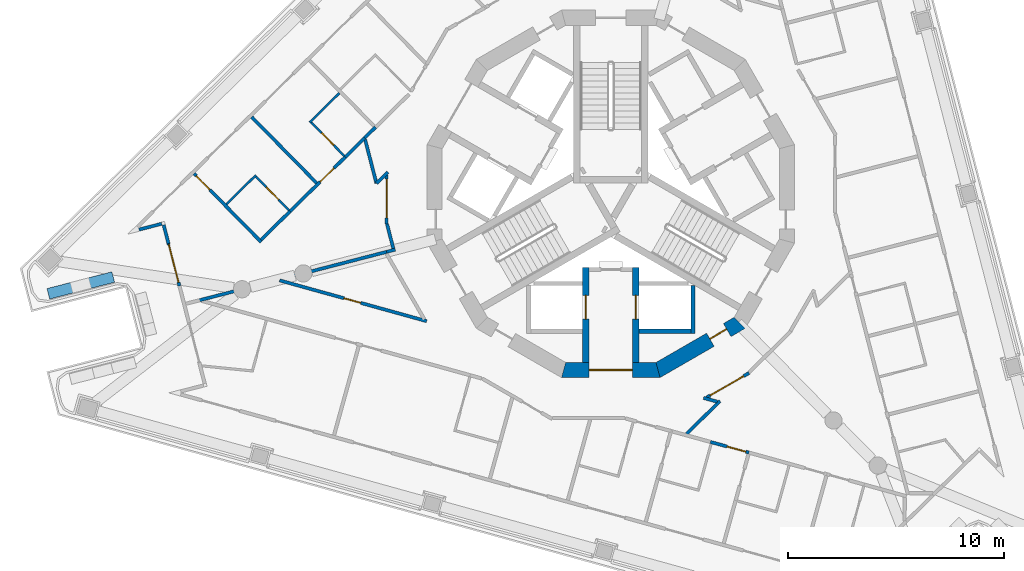
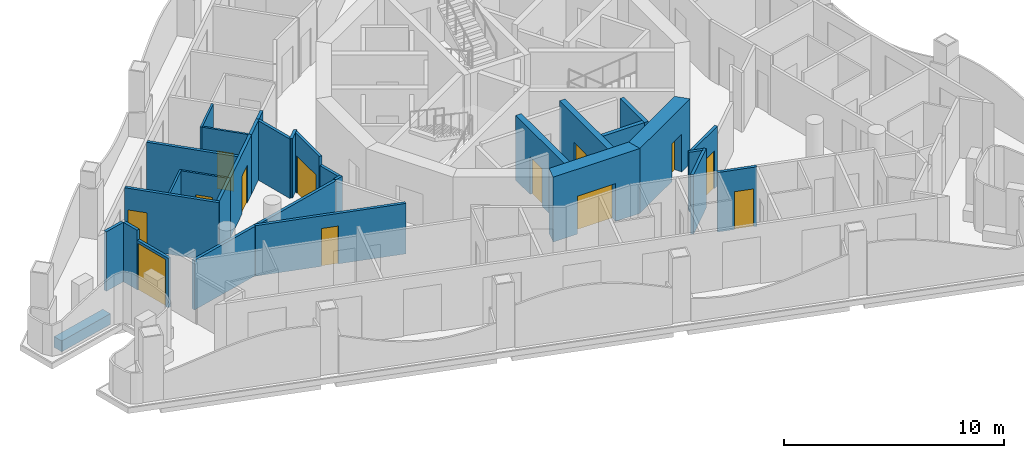
# One storey, part 3 of 14: 31 walls, 13 doors, 13 openings.
"""IFC4 building model written with IfcOpenShell, lengths in metres."""

from ifc_helpers import new_model, si_unit, direction, frame, frame_2d, origin, place, context, subcontext, project, spatial, polyline, rectangle, outline, extrude, material, layer, layer_set, type_object, element, fill, save


model = new_model("IFC4")

# Units and contexts
model_context = context("Model", 3, precision=1e-05, world=origin(), true_north=direction((0.0, 1.0)))
body_context = subcontext(model_context, "Body", "Model", "MODEL_VIEW")
ifc_project = project(units=[si_unit("LENGTHUNIT", "METRE"), si_unit("AREAUNIT", "SQUARE_METRE"), si_unit("VOLUMEUNIT", "CUBIC_METRE"), si_unit("PLANEANGLEUNIT", "RADIAN"), si_unit("MASSUNIT", "GRAM", prefix="KILO")], contexts=[model_context])

# Site, building, storey
site_placement = place(None, origin())
site = spatial("IfcSite", under=ifc_project, at=site_placement, CompositionType="ELEMENT")
building_placement = place(site_placement, origin())
building = spatial("IfcBuilding", under=site, at=building_placement, Name="Trine Commons Tower", CompositionType="ELEMENT")
storey_placement = place(building_placement, frame((0.0, 0.0, 238.5)))
storey = spatial("IfcBuildingStorey", under=building, at=storey_placement, Name="L62", CompositionType="ELEMENT", Elevation=238.5)

# Wall, opening, door
ifc_material_1 = material(Name="Aluminium-framed insulated wall panel", Category="aluminium")
ifc_layer_1 = layer(ifc_material_1, 0.14990234375)
ifc_layer_set_1 = layer_set([ifc_layer_1], Name="Aluminium-framed insulated wall panel")
wall_type_1 = type_object("IfcWallType", Name="Glazed frame wall 150, EI 60", PredefinedType="SOLIDWALL", material=ifc_layer_set_1)
wall_1_placement = place(storey_placement, frame((60.0390625, 58.2451171875, 0.0), z_axis=(0.0, 0.0, 1.0), x_axis=(-0.250341838346, 0.968157509899, 0.0)))
wall_1 = element("IfcWall", 1, at=wall_1_placement, inside=storey, type_object=wall_type_1, Name="Glazed frame wall P3.4", PredefinedType="SOLIDWALL", context=body_context, shape_type="SweptSolid", body=[
    extrude(outline(polyline([(0.0, -0.074951171875), (2.021484375, -0.074951171875), (2.021484375, 0.074951171875), (0.0, 0.074951171875), (0.0, -0.074951171875)])), origin(), (0.0, 0.0, 1.0), 2.75),
])
opening_1_placement = place(wall_1_placement, frame((0.17138671875, 0.0, 0.0)))
opening_1 = element("IfcOpeningElement", 2, at=opening_1_placement, cuts=wall_1, Name="Opening BD-7P3-02", PredefinedType="OPENING", context=body_context, shape_type="SweptSolid", body=[
    extrude(rectangle(XDim=1.800048828125, YDim=2.60009765625, at=frame_2d((0.89990234375, 1.300048828125))), frame((0.0, 0.0849609375, 0.0), z_axis=(0.0, -1.0, 0.0), x_axis=(1.0, 0.0, 0.0)), (0.0, 0.0, 1.0), 0.169921875),
])
ifc_material_2 = material(Name="Anodised aluminium frame with double glazing", Category="aluminium")
door_type_1 = type_object("IfcDoorType", Name="Sliding loggia door 1800x2600", OperationType="SLIDING_TO_LEFT", PredefinedType="DOOR", material=ifc_material_2)
door_1_placement = place(opening_1_placement, origin())
door_1 = element("IfcDoor", 3, at=door_1_placement, inside=storey, type_object=door_type_1, Name="Loggia door P3 2", OperationType="SLIDING_TO_LEFT", OverallHeight=2.60009765625, OverallWidth=1.800048828125, PredefinedType="DOOR", context=body_context, shape_type="SweptSolid", body=[
    extrude(rectangle(XDim=1.800048828125, YDim=2.60009765625, at=frame_2d((0.89990234375, 1.300048828125))), frame((0.0, 0.02490234375, 0.0), z_axis=(0.0, -1.0, 0.0), x_axis=(1.0, 0.0, 0.0)), (0.0, 0.0, 1.0), 0.050048828125),
])
fill(opening_1, door_1)

# Walls
wall_2_placement = place(storey_placement, frame((59.532958984375, 60.202392578125, 0.0), z_axis=(0.0, 0.0, 1.0), x_axis=(-0.250284169086, 0.968172419926, 0.0)))
element("IfcWall", 4, at=wall_2_placement, inside=storey, type_object=wall_type_1, Name="Glazed frame wall P3.5", PredefinedType="SOLIDWALL", context=body_context, shape_type="SweptSolid", body=[
    extrude(outline(polyline([(0.889892578125, 0.074951171875), (0.0, 0.074951171875), (0.0, -0.074951171875), (0.889892578125, -0.074951171875), (0.889892578125, 0.074951171875)])), origin(), (0.0, 0.0, 1.0), 3.300048828125),
])
wall_3_placement = place(storey_placement, frame((59.3251953125, 61.145263671875, 0.0), z_axis=(0.0, 0.0, 1.0), x_axis=(-0.968156774456, -0.250344682538, 0.0)))
element("IfcWall", 5, at=wall_3_placement, inside=storey, type_object=wall_type_1, Name="Glazed frame wall R12", PredefinedType="SOLIDWALL", context=body_context, shape_type="SweptSolid", body=[
    extrude(outline(polyline([(0.110107421875, 0.074951171875), (0.110107421875, -0.074951171875), (1.19580078125, -0.074951171875), (1.19580078125, 0.074951171875), (0.110107421875, 0.074951171875)])), origin(), (0.0, 0.0, 1.0), 3.300048828125),
])
ifc_material_3 = material(Name="Planter trough, precast concrete C40/50", Category="concrete")
ifc_layer_2 = layer(ifc_material_3, 0.5)
ifc_layer_set_2 = layer_set([ifc_layer_2], Name="Planter trough, precast concrete C40/50")
wall_type_2 = type_object("IfcWallType", Name="Planter trough 500x600", PredefinedType="PARAPET", material=ifc_layer_set_2)
wall_4_placement = place(storey_placement, frame((56.974609375, 58.65234375, 0.0), z_axis=(0.0, 0.0, 1.0), x_axis=(-0.968151190511, -0.250366276306, 0.0)))
element("IfcWall", 6, at=wall_4_placement, inside=storey, type_object=wall_type_2, Name="Planter 3", PredefinedType="PARAPET", context=body_context, shape_type="SweptSolid", body=[
    extrude(rectangle(XDim=3.099853515625, YDim=0.5, at=frame_2d((1.5498046875, 0.0))), origin(), (0.0, 0.0, 1.0), 0.60009765625),
])

# Wall, opening, door
ifc_material_4 = material(Name="Concrete C50/60", Category="concrete")
ifc_layer_3 = layer(ifc_material_4, 0.300048828125)
ifc_layer_set_3 = layer_set([ifc_layer_3], Name="Concrete C50/60")
wall_type_3 = type_object("IfcWallType", Name="RC shear wall 300 mm, C50/60", PredefinedType="SHEAR", material=ifc_layer_set_3)
wall_5_placement = place(storey_placement, frame((78.85009765625, 59.10009765625, 0.0), z_axis=(0.0, 0.0, 1.0), x_axis=(0.0, -1.0, 0.0)))
wall_5 = element("IfcWall", 7, at=wall_5_placement, inside=storey, type_object=wall_type_3, Name="Core cross wall SWC-03 L62", PredefinedType="SHEAR", context=body_context, shape_type="SweptSolid", body=[
    extrude(rectangle(XDim=4.400146484375, YDim=0.300048828125, at=frame_2d((2.2001953125, 0.0))), origin(), (0.0, 0.0, 1.0), 3.60009765625),
])
opening_2_placement = place(wall_5_placement, frame((1.300048828125, 0.0, 0.0)))
opening_2 = element("IfcOpeningElement", 8, at=opening_2_placement, cuts=wall_5, Name="Opening LD10", PredefinedType="OPENING", context=body_context, shape_type="SweptSolid", body=[
    extrude(rectangle(XDim=1.10009765625, YDim=2.10009765625, at=frame_2d((0.550048828125, 1.050048828125))), frame((0.0, 0.159912109375, 0.0), z_axis=(0.0, -1.0, 0.0), x_axis=(1.0, 0.0, 0.0)), (0.0, 0.0, 1.0), 0.320068359375),
])
ifc_material_5 = material(Name="Stainless steel sliding door leaves", Category="steel")
door_type_2 = type_object("IfcDoorType", Name="Lift landing door, centre-opening sliding 1100 x 2100, FD90", OperationType="DOUBLE_DOOR_SLIDING", PredefinedType="DOOR", material=ifc_material_5)
door_2_placement = place(opening_2_placement, origin())
door_2 = element("IfcDoor", 9, at=door_2_placement, inside=storey, type_object=door_type_2, Name="Lift landing door FF2 L62", OperationType="DOUBLE_DOOR_SLIDING", OverallHeight=2.10009765625, OverallWidth=1.10009765625, PredefinedType="DOOR", context=body_context, shape_type="SweptSolid", body=[
    extrude(rectangle(XDim=1.10009765625, YDim=2.10009765625, at=frame_2d((0.550048828125, 1.050048828125))), frame((0.0, 0.02490234375, 0.0), z_axis=(0.0, -1.0, 0.0), x_axis=(1.0, 0.0, 0.0)), (0.0, 0.0, 1.0), 0.050048828125),
])
fill(opening_2, door_2)

wall_6_placement = place(storey_placement, frame((81.14990234375, 59.10009765625, 0.0), z_axis=(0.0, 0.0, 1.0), x_axis=(0.0, -1.0, 0.0)))
wall_6 = element("IfcWall", 10, at=wall_6_placement, inside=storey, type_object=wall_type_3, Name="Core cross wall SWC-04 L62", PredefinedType="SHEAR", context=body_context, shape_type="SweptSolid", body=[
    extrude(rectangle(XDim=4.400146484375, YDim=0.300048828125, at=frame_2d((2.2001953125, 0.0))), origin(), (0.0, 0.0, 1.0), 3.60009765625),
])
opening_3_placement = place(wall_6_placement, frame((1.300048828125, 0.0, 0.0)))
opening_3 = element("IfcOpeningElement", 11, at=opening_3_placement, cuts=wall_6, Name="Opening LD9", PredefinedType="OPENING", context=body_context, shape_type="SweptSolid", body=[
    extrude(rectangle(XDim=1.10009765625, YDim=2.10009765625, at=frame_2d((0.550048828125, 1.050048828125))), frame((0.0, 0.159912109375, 0.0), z_axis=(0.0, -1.0, 0.0), x_axis=(1.0, 0.0, 0.0)), (0.0, 0.0, 1.0), 0.320068359375),
])
door_3_placement = place(opening_3_placement, origin())
door_3 = element("IfcDoor", 12, at=door_3_placement, inside=storey, type_object=door_type_2, Name="Lift landing door FF1 L62", OperationType="DOUBLE_DOOR_SLIDING", OverallHeight=2.10009765625, OverallWidth=1.10009765625, PredefinedType="DOOR", context=body_context, shape_type="SweptSolid", body=[
    extrude(rectangle(XDim=1.10009765625, YDim=2.10009765625, at=frame_2d((0.550048828125, 1.050048828125))), frame((0.0, 0.02490234375, 0.0), z_axis=(0.0, -1.0, 0.0), x_axis=(1.0, 0.0, 0.0)), (0.0, 0.0, 1.0), 0.050048828125),
])
fill(opening_3, door_3)

ifc_layer_4 = layer(ifc_material_4, 0.699951171875)
ifc_layer_set_4 = layer_set([ifc_layer_4], Name="Concrete C50/60")
wall_type_4 = type_object("IfcWallType", Name="RC shear wall 700 mm, C50/60", PredefinedType="SHEAR", material=ifc_layer_set_4)
wall_7_placement = place(storey_placement, frame((77.722412109375, 54.349853515625, 0.0), z_axis=(0.0, 0.0, 1.0), x_axis=(1.0, 0.0, 0.0)))
wall_7 = element("IfcWall", 13, at=wall_7_placement, inside=storey, type_object=wall_type_4, Name="Core wall CWG-10 L62", PredefinedType="SHEAR", context=body_context, shape_type="SweptSolid", body=[
    extrude(outline(polyline([(0.0, -0.35009765625), (4.55517578125, -0.35009765625), (4.36767578125, 0.35009765625), (0.1875, 0.35009765625), (0.0, -0.35009765625)])), origin(), (0.0, 0.0, 1.0), 3.60009765625),
])
opening_4_placement = place(wall_7_placement, frame((1.277587890625, 0.0, 0.0)))
opening_4 = element("IfcOpeningElement", 14, at=opening_4_placement, cuts=wall_7, Name="Opening K16.08", PredefinedType="OPENING", context=body_context, shape_type="SweptSolid", body=[
    extrude(rectangle(XDim=2.0, YDim=2.10009765625, at=frame_2d((1.0, 1.050048828125))), frame((0.0, 0.35986328125, 0.0), z_axis=(0.0, -1.0, 0.0), x_axis=(1.0, 0.0, 0.0)), (0.0, 0.0, 1.0), 0.719970703125),
])
ifc_material_6 = material(Name="Steel door leaves, fire-rated", Category="steel")
door_type_3 = type_object("IfcDoorType", Name="Lobby door, double leaf 2000 x 2100, FD60", OperationType="DOUBLE_DOOR_SINGLE_SWING", PredefinedType="DOOR", material=ifc_material_6)
door_4_placement = place(opening_4_placement, origin())
door_4 = element("IfcDoor", 15, at=door_4_placement, inside=storey, type_object=door_type_3, Name="Lobby door, Service and firefighting lobby L62", OperationType="DOUBLE_DOOR_SINGLE_SWING", OverallHeight=2.10009765625, OverallWidth=2.0, PredefinedType="DOOR", context=body_context, shape_type="SweptSolid", body=[
    extrude(rectangle(XDim=2.0, YDim=2.10009765625, at=frame_2d((1.0, 1.050048828125))), frame((0.0, 0.02490234375, 0.0), z_axis=(0.0, -1.0, 0.0), x_axis=(1.0, 0.0, 0.0)), (0.0, 0.0, 1.0), 0.050048828125),
])
fill(opening_4, door_4)

wall_8_placement = place(storey_placement, frame((82.1025390625, 54.302978515625, 0.0), z_axis=(0.0, 0.0, 1.0), x_axis=(0.866034756103, 0.499983800959, 0.0)))
wall_8 = element("IfcWall", 16, at=wall_8_placement, inside=storey, type_object=wall_type_4, Name="Core wall CWG-11 L62", PredefinedType="SHEAR", context=body_context, shape_type="SweptSolid", body=[
    extrude(outline(polyline([(0.0, -0.35009765625), (4.55517578125, -0.35009765625), (4.36767578125, 0.35009765625), (0.1875, 0.35009765625), (0.0, -0.35009765625)])), origin(), (0.0, 0.0, 1.0), 3.60009765625),
])
opening_5_placement = place(wall_8_placement, frame((2.891845703125, 0.0, 0.0)))
opening_5 = element("IfcOpeningElement", 17, at=opening_5_placement, cuts=wall_8, Name="Opening K16.16", PredefinedType="OPENING", context=body_context, shape_type="SweptSolid", body=[
    extrude(rectangle(XDim=0.89990234375, YDim=2.10009765625, at=frame_2d((0.449951171875, 1.050048828125))), frame((0.0, 0.35986328125, 0.0), z_axis=(0.0, -1.0, 0.0), x_axis=(1.0, 0.0, 0.0)), (0.0, 0.0, 1.0), 0.719970703125),
])
ifc_material_7 = material(Name="Steel door leaf, fire-rated", Category="steel")
door_type_4 = type_object("IfcDoorType", Name="Core room door, single leaf 900 x 2100, FD30S", OperationType="SINGLE_SWING_LEFT", PredefinedType="DOOR", material=ifc_material_7)
door_5_placement = place(opening_5_placement, origin())
door_5 = element("IfcDoor", 18, at=door_5_placement, inside=storey, type_object=door_type_4, Name="Door to Core WC L62", OperationType="SINGLE_SWING_RIGHT", OverallHeight=2.10009765625, OverallWidth=0.89990234375, PredefinedType="DOOR", context=body_context, shape_type="SweptSolid", body=[
    extrude(rectangle(XDim=0.89990234375, YDim=2.10009765625, at=frame_2d((0.449951171875, 1.050048828125))), frame((0.0, 0.0751953125, 0.0), z_axis=(0.0, -1.0, 0.0), x_axis=(1.0, 0.0, 0.0)), (0.0, 0.0, 1.0), 0.050048828125),
])
fill(opening_5, door_5)

# Walls
ifc_material_8 = material(Name="Fire-rated gypsum shaft wall system")
ifc_layer_5 = layer(ifc_material_8, 0.199951171875)
ifc_layer_set_5 = layer_set([ifc_layer_5], Name="Fire-rated gypsum shaft wall system")
wall_type_5 = type_object("IfcWallType", Name="Shaft wall 200 mm, EI 120", PredefinedType="PARTITIONING", material=ifc_layer_set_5)
wall_9_placement = place(storey_placement, frame((81.300048828125, 56.14990234375, 0.0), z_axis=(0.0, 0.0, 1.0), x_axis=(1.0, 0.0, 0.0)))
element("IfcWall", 19, at=wall_9_placement, inside=storey, type_object=wall_type_5, Name="Shaft wall L62", PredefinedType="PARTITIONING", context=body_context, shape_type="SweptSolid", body=[
    extrude(rectangle(XDim=2.39990234375, YDim=0.199951171875, at=frame_2d((1.199951171875, 0.0))), origin(), (0.0, 0.0, 1.0), 3.300048828125),
])
wall_10_placement = place(storey_placement, frame((83.800048828125, 58.257080078125, 0.0), z_axis=(0.0, 0.0, 1.0), x_axis=(0.0, -1.0, 0.0)))
element("IfcWall", 20, at=wall_10_placement, inside=storey, type_object=wall_type_5, Name="Shaft wall L62", PredefinedType="PARTITIONING", context=body_context, shape_type="SweptSolid", body=[
    extrude(rectangle(XDim=2.20703125, YDim=0.199951171875, at=frame_2d((1.103515625, 0.0))), origin(), (0.0, 0.0, 1.0), 3.300048828125),
])

# Wall, opening, door
ifc_material_9 = material(Name="Gypsum plasterboard on steel stud", Category="steel")
ifc_layer_6 = layer(ifc_material_9, 0.14990234375)
ifc_layer_set_6 = layer_set([ifc_layer_6], Name="Gypsum plasterboard on steel stud")
wall_type_6 = type_object("IfcWallType", Name="Unit and corridor wall 150 mm, EI 60", PredefinedType="PARTITIONING", material=ifc_layer_set_6)
wall_11_placement = place(storey_placement, frame((60.7119140625, 63.4375, 0.0), z_axis=(0.0, 0.0, 1.0), x_axis=(0.700942148678, -0.713218132276, 0.0)))
wall_11 = element("IfcWall", 21, at=wall_11_placement, inside=storey, type_object=wall_type_6, Name="Partition 002", PredefinedType="PARTITIONING", context=body_context, shape_type="SweptSolid", body=[
    extrude(rectangle(XDim=4.43505859375, YDim=0.14990234375, at=frame_2d((2.217529296875, 0.0))), origin(), (0.0, 0.0, 1.0), 3.300048828125),
])
opening_6_placement = place(wall_11_placement, frame((0.14990234375, 0.0, 0.0)))
opening_6 = element("IfcOpeningElement", 22, at=opening_6_placement, cuts=wall_11, Name="Opening D-7A04", PredefinedType="OPENING", context=body_context, shape_type="SweptSolid", body=[
    extrude(rectangle(XDim=0.89990234375, YDim=2.10009765625, at=frame_2d((0.449951171875, 1.050048828125))), frame((0.0, 0.0849609375, 0.0), z_axis=(0.0, -1.0, 0.0), x_axis=(1.0, 0.0, 0.0)), (0.0, 0.0, 1.0), 0.169921875),
])
ifc_material_10 = material(Name="Timber fire door set", Category="wood")
door_type_5 = type_object("IfcDoorType", Name="Bedroom door 900 x 2100, FD30S", OperationType="NOTDEFINED", PredefinedType="DOOR", material=ifc_material_10)
door_6_placement = place(opening_6_placement, origin())
door_6 = element("IfcDoor", 23, at=door_6_placement, inside=storey, type_object=door_type_5, Name="Door D-7A04", OperationType="SINGLE_SWING_LEFT", OverallHeight=2.10009765625, OverallWidth=0.89990234375, PredefinedType="DOOR", context=body_context, shape_type="SweptSolid", body=[
    extrude(rectangle(XDim=0.89990234375, YDim=2.10009765625, at=frame_2d((0.449951171875, 1.050048828125))), frame((0.0, 0.02490234375, 0.0), z_axis=(0.0, -1.0, 0.0), x_axis=(1.0, 0.0, 0.0)), (0.0, 0.0, 1.0), 0.050048828125),
])
fill(opening_6, door_6)

# Walls
wall_12_placement = place(storey_placement, frame((60.8984375, 57.560302734375, 0.0), z_axis=(0.0, 0.0, 1.0), x_axis=(0.968148722019, 0.250375821623, 0.0)))
element("IfcWall", 24, at=wall_12_placement, inside=storey, type_object=wall_type_6, Name="Partition 003", PredefinedType="PARTITIONING", context=body_context, shape_type="SweptSolid", body=[
    extrude(rectangle(XDim=9.017578125, YDim=0.14990234375, at=frame_2d((4.5087890625, 0.0))), origin(), (0.0, 0.0, 1.0), 2.75),
])
wall_13_placement = place(storey_placement, frame((63.382080078125, 66.060546875, 0.0), z_axis=(0.0, 0.0, 1.0), x_axis=(0.70092652961, -0.71323348217, 0.0)))
element("IfcWall", 25, at=wall_13_placement, inside=storey, type_object=wall_type_6, Name="Partition 007", PredefinedType="PARTITIONING", context=body_context, shape_type="SweptSolid", body=[
    extrude(rectangle(XDim=4.284912109375, YDim=0.14990234375, at=frame_2d((2.142578125, 0.0))), origin(), (0.0, 0.0, 1.0), 3.300048828125),
])
wall_14_placement = place(storey_placement, frame((63.821533203125, 60.380615234375, 0.0), z_axis=(0.0, 0.0, 1.0), x_axis=(0.713509638131, 0.700645414096, 0.0)))
element("IfcWall", 26, at=wall_14_placement, inside=storey, type_object=wall_type_6, Name="Partition 010", PredefinedType="PARTITIONING", context=body_context, shape_type="SweptSolid", body=[
    extrude(rectangle(XDim=1.87890625, YDim=0.14990234375, at=frame_2d((0.939453125, 0.0))), origin(), (0.0, 0.0, 1.0), 3.300048828125),
])

# Wall, opening, door
wall_15_placement = place(storey_placement, frame((64.67333984375, 58.498046875, 0.0), z_axis=(0.0, 0.0, 1.0), x_axis=(0.963632187737, -0.267232121491, 0.0)))
wall_15 = element("IfcWall", 27, at=wall_15_placement, inside=storey, type_object=wall_type_6, Name="Partition 011", PredefinedType="PARTITIONING", context=body_context, shape_type="SweptSolid", body=[
    extrude(rectangle(XDim=7.064697265625, YDim=0.14990234375, at=frame_2d((3.5322265625, 0.0))), origin(), (0.0, 0.0, 1.0), 2.800048828125),
])
opening_7_placement = place(wall_15_placement, frame((3.094970703125, 0.0, 0.0)))
opening_7 = element("IfcOpeningElement", 28, at=opening_7_placement, cuts=wall_15, Name="Opening D-7A26", PredefinedType="OPENING", context=body_context, shape_type="SweptSolid", body=[
    extrude(rectangle(XDim=0.800048828125, YDim=2.10009765625, at=frame_2d((0.39990234375, 1.050048828125))), frame((0.0, 0.0849609375, 0.0), z_axis=(0.0, -1.0, 0.0), x_axis=(1.0, 0.0, 0.0)), (0.0, 0.0, 1.0), 0.169921875),
])
ifc_material_11 = material(Name="Painted timber", Category="wood")
door_type_6 = type_object("IfcDoorType", Name="Toilet door 800 x 2100, NOT RATED", OperationType="NOTDEFINED", PredefinedType="DOOR", material=ifc_material_11)
door_7_placement = place(opening_7_placement, origin())
door_7 = element("IfcDoor", 29, at=door_7_placement, inside=storey, type_object=door_type_6, Name="Door D-7A26", OperationType="SINGLE_SWING_LEFT", OverallHeight=2.10009765625, OverallWidth=0.800048828125, PredefinedType="DOOR", context=body_context, shape_type="SweptSolid", body=[
    extrude(rectangle(XDim=0.800048828125, YDim=2.10009765625, at=frame_2d((0.39990234375, 1.050048828125))), frame((0.0, 0.02490234375, 0.0), z_axis=(0.0, -1.0, 0.0), x_axis=(1.0, 0.0, 0.0)), (0.0, 0.0, 1.0), 0.050048828125),
])
fill(opening_7, door_7)

wall_16_placement = place(storey_placement, frame((65.120361328125, 61.656005859375, 0.0), z_axis=(0.0, 0.0, 1.0), x_axis=(0.713194386998, 0.700966309001, 0.0)))
wall_16 = element("IfcWall", 30, at=wall_16_placement, inside=storey, type_object=wall_type_6, Name="Partition 012", PredefinedType="PARTITIONING", context=body_context, shape_type="SweptSolid", body=[
    extrude(rectangle(XDim=3.693603515625, YDim=0.14990234375, at=frame_2d((1.8466796875, 0.0))), origin(), (0.0, 0.0, 1.0), 3.300048828125),
])
opening_8_placement = place(wall_16_placement, frame((1.99755859375, 0.0, 0.0)))
opening_8 = element("IfcOpeningElement", 31, at=opening_8_placement, cuts=wall_16, Name="Opening D-7A05", PredefinedType="OPENING", context=body_context, shape_type="SweptSolid", body=[
    extrude(rectangle(XDim=0.89990234375, YDim=2.10009765625, at=frame_2d((0.449951171875, 1.050048828125))), frame((0.0, 0.0849609375, 0.0), z_axis=(0.0, -1.0, 0.0), x_axis=(1.0, 0.0, 0.0)), (0.0, 0.0, 1.0), 0.169921875),
])
door_8_placement = place(opening_8_placement, origin())
door_8 = element("IfcDoor", 32, at=door_8_placement, inside=storey, type_object=door_type_5, Name="Door D-7A05", OperationType="SINGLE_SWING_RIGHT", OverallHeight=2.10009765625, OverallWidth=0.89990234375, PredefinedType="DOOR", context=body_context, shape_type="SweptSolid", body=[
    extrude(rectangle(XDim=0.89990234375, YDim=2.10009765625, at=frame_2d((0.449951171875, 1.050048828125))), frame((0.0, 0.02490234375, 0.0), z_axis=(0.0, -1.0, 0.0), x_axis=(1.0, 0.0, 0.0)), (0.0, 0.0, 1.0), 0.050048828125),
])
fill(opening_8, door_8)

# Walls
wall_17_placement = place(storey_placement, frame((67.714111328125, 64.205078125, 0.0), z_axis=(0.0, 0.0, 1.0), x_axis=(0.712981774693, 0.70118256464, 0.0)))
element("IfcWall", 33, at=wall_17_placement, inside=storey, type_object=wall_type_6, Name="Partition 018", PredefinedType="PARTITIONING", context=body_context, shape_type="SweptSolid", body=[
    extrude(rectangle(XDim=1.26220703125, YDim=0.14990234375, at=frame_2d((0.631103515625, 0.0))), origin(), (0.0, 0.0, 1.0), 3.300048828125),
])
wall_18_placement = place(storey_placement, frame((68.630859375, 65.016357421875, 0.0), z_axis=(0.0, 0.0, 1.0), x_axis=(0.250220542644, -0.968188865893, 0.0)))
element("IfcWall", 34, at=wall_18_placement, inside=storey, type_object=wall_type_6, Name="Partition 019", PredefinedType="PARTITIONING", context=body_context, shape_type="SweptSolid", body=[
    extrude(rectangle(XDim=2.0908203125, YDim=0.14990234375, at=frame_2d((1.04541015625, 0.0))), origin(), (0.0, 0.0, 1.0), 3.300048828125),
])
wall_19_placement = place(storey_placement, frame((68.612060546875, 65.091064453125, 0.0), z_axis=(0.0, 0.0, 1.0), x_axis=(0.712699057128, 0.701469923781, 0.0)))
element("IfcWall", 35, at=wall_19_placement, inside=storey, type_object=wall_type_6, Name="Partition 020", PredefinedType="PARTITIONING", context=body_context, shape_type="SweptSolid", body=[
    extrude(rectangle(XDim=0.69580078125, YDim=0.14990234375, at=frame_2d((0.347900390625, 0.0))), origin(), (0.0, 0.0, 1.0), 3.300048828125),
])
wall_20_placement = place(storey_placement, frame((69.157958984375, 62.991943359375, 0.0), z_axis=(0.0, 0.0, 1.0), x_axis=(0.712433157826, 0.701739977221, 0.0)))
element("IfcWall", 36, at=wall_20_placement, inside=storey, type_object=wall_type_6, Name="Partition 024", PredefinedType="PARTITIONING", context=body_context, shape_type="SweptSolid", body=[
    extrude(rectangle(XDim=0.730712890625, YDim=0.14990234375, at=frame_2d((0.365234375, 0.0))), origin(), (0.0, 0.0, 1.0), 3.300048828125),
])
wall_21_placement = place(storey_placement, frame((69.625, 59.81689453125, 0.0), z_axis=(0.0, 0.0, 1.0), x_axis=(0.968355193071, 0.249576080688, 0.0)))
element("IfcWall", 37, at=wall_21_placement, inside=storey, type_object=wall_type_6, Name="Partition 026", PredefinedType="PARTITIONING", context=body_context, shape_type="SweptSolid", body=[
    extrude(rectangle(XDim=0.415771484375, YDim=0.14990234375, at=frame_2d((0.2080078125, 0.0))), origin(), (0.0, 0.0, 1.0), 2.800048828125),
])

# Wall, opening, door
wall_22_placement = place(storey_placement, frame((69.625, 61.10498046875, 0.0), z_axis=(0.0, 0.0, 1.0), x_axis=(0.0, 1.0, 0.0)))
wall_22 = element("IfcWall", 38, at=wall_22_placement, inside=storey, type_object=wall_type_6, Name="Partition 027", PredefinedType="PARTITIONING", context=body_context, shape_type="SweptSolid", body=[
    extrude(rectangle(XDim=2.27197265625, YDim=0.14990234375, at=frame_2d((1.135986328125, 0.0))), origin(), (0.0, 0.0, 1.0), 3.300048828125),
])
opening_9_placement = place(wall_22_placement, frame((0.28271484375, 0.0, 0.0)))
opening_9 = element("IfcOpeningElement", 39, at=opening_9_placement, cuts=wall_22, Name="Opening D-7A03", PredefinedType="OPENING", context=body_context, shape_type="SweptSolid", body=[
    extrude(rectangle(XDim=1.800048828125, YDim=2.10009765625, at=frame_2d((0.89990234375, 1.050048828125))), frame((0.0, 0.0849609375, 0.0), z_axis=(0.0, -1.0, 0.0), x_axis=(1.0, 0.0, 0.0)), (0.0, 0.0, 1.0), 0.169921875),
])
door_type_7 = type_object("IfcDoorType", Name="Cluster entrance door 1800 x 2100, double leaf, FD30S", OperationType="DOUBLE_DOOR_DOUBLE_SWING", PredefinedType="DOOR", material=ifc_material_10)
door_9_placement = place(opening_9_placement, origin())
door_9 = element("IfcDoor", 40, at=door_9_placement, inside=storey, type_object=door_type_7, Name="Door D-7A03", OperationType="DOUBLE_DOOR_DOUBLE_SWING", OverallHeight=2.10009765625, OverallWidth=1.800048828125, PredefinedType="DOOR", context=body_context, shape_type="SweptSolid", body=[
    extrude(rectangle(XDim=1.800048828125, YDim=2.10009765625, at=frame_2d((0.89990234375, 1.050048828125))), frame((0.0, 0.02490234375, 0.0), z_axis=(0.0, -1.0, 0.0), x_axis=(1.0, 0.0, 0.0)), (0.0, 0.0, 1.0), 0.050048828125),
])
fill(opening_9, door_9)

# Walls
wall_23_placement = place(storey_placement, frame((69.643798828125, 61.107421875, 0.0), z_axis=(0.0, 0.0, 1.0), x_axis=(0.249991617467, -0.968248000874, 0.0)))
element("IfcWall", 41, at=wall_23_placement, inside=storey, type_object=wall_type_6, Name="Partition 028", PredefinedType="PARTITIONING", context=body_context, shape_type="SweptSolid", body=[
    extrude(rectangle(XDim=1.169921875, YDim=0.14990234375, at=frame_2d((0.5849609375, 0.0))), origin(), (0.0, 0.0, 1.0), 2.800048828125),
])
wall_24_placement = place(storey_placement, frame((83.506591796875, 51.3955078125, 0.0), z_axis=(0.0, 0.0, 1.0), x_axis=(0.712824796749, 0.701342148412, 0.0)))
element("IfcWall", 42, at=wall_24_placement, inside=storey, type_object=wall_type_6, Name="Partition 065", PredefinedType="PARTITIONING", context=body_context, shape_type="SweptSolid", body=[
    extrude(rectangle(XDim=2.168701171875, YDim=0.14990234375, at=frame_2d((1.08447265625, 0.0))), origin(), (0.0, 0.0, 1.0), 3.300048828125),
])
wall_25_placement = place(storey_placement, frame((84.290771484375, 53.058837890625, 0.0), z_axis=(0.0, 0.0, 1.0), x_axis=(0.964146228047, -0.265371533785, 0.0)))
element("IfcWall", 43, at=wall_25_placement, inside=storey, type_object=wall_type_6, Name="Partition 069", PredefinedType="PARTITIONING", context=body_context, shape_type="SweptSolid", body=[
    extrude(rectangle(XDim=0.65966796875, YDim=0.14990234375, at=frame_2d((0.329833984375, 0.0))), origin(), (0.0, 0.0, 1.0), 3.300048828125),
])

# Wall, opening, door
wall_26_placement = place(storey_placement, frame((84.427978515625, 53.076416015625, 0.0), z_axis=(0.0, 0.0, 1.0), x_axis=(0.866072877359, 0.499917764341, 0.0)))
wall_26 = element("IfcWall", 44, at=wall_26_placement, inside=storey, type_object=wall_type_6, Name="Partition 070", PredefinedType="PARTITIONING", context=body_context, shape_type="SweptSolid", body=[
    extrude(rectangle(XDim=2.2724609375, YDim=0.14990234375, at=frame_2d((1.13623046875, 0.0))), origin(), (0.0, 0.0, 1.0), 3.300048828125),
])
opening_10_placement = place(wall_26_placement, frame((0.188720703125, 0.0, 0.0)))
opening_10 = element("IfcOpeningElement", 45, at=opening_10_placement, cuts=wall_26, Name="Opening D-7A02", PredefinedType="OPENING", context=body_context, shape_type="SweptSolid", body=[
    extrude(rectangle(XDim=1.800048828125, YDim=2.10009765625, at=frame_2d((0.89990234375, 1.050048828125))), frame((0.0, 0.0849609375, 0.0), z_axis=(0.0, -1.0, 0.0), x_axis=(1.0, 0.0, 0.0)), (0.0, 0.0, 1.0), 0.169921875),
])
door_10_placement = place(opening_10_placement, frame((1.800048828125, 0.0, 0.0), z_axis=(0.0, 0.0, 1.0), x_axis=(-1.0, 0.0, 0.0)))
door_10 = element("IfcDoor", 46, at=door_10_placement, inside=storey, type_object=door_type_7, Name="Door D-7A02", OperationType="DOUBLE_DOOR_DOUBLE_SWING", OverallHeight=2.10009765625, OverallWidth=1.800048828125, PredefinedType="DOOR", context=body_context, shape_type="SweptSolid", body=[
    extrude(rectangle(XDim=1.800048828125, YDim=2.10009765625, at=frame_2d((0.89990234375, 1.050048828125))), frame((0.0, 0.02490234375, 0.0), z_axis=(0.0, -1.0, 0.0), x_axis=(1.0, 0.0, 0.0)), (0.0, 0.0, 1.0), 0.050048828125),
])
fill(opening_10, door_10)

wall_27_placement = place(storey_placement, frame((84.61083984375, 51.0224609375, 0.0), z_axis=(0.0, 0.0, 1.0), x_axis=(0.963673001046, -0.267084906077, 0.0)))
wall_27 = element("IfcWall", 47, at=wall_27_placement, inside=storey, type_object=wall_type_6, Name="Partition 071", PredefinedType="PARTITIONING", context=body_context, shape_type="SweptSolid", body=[
    extrude(rectangle(XDim=1.847412109375, YDim=0.14990234375, at=frame_2d((0.923828125, 0.0))), origin(), (0.0, 0.0, 1.0), 3.300048828125),
])
opening_11_placement = place(wall_27_placement, frame((0.79736328125, 0.0, 0.0)))
opening_11 = element("IfcOpeningElement", 48, at=opening_11_placement, cuts=wall_27, Name="Opening D-7A21", PredefinedType="OPENING", context=body_context, shape_type="SweptSolid", body=[
    extrude(rectangle(XDim=0.89990234375, YDim=2.10009765625, at=frame_2d((0.449951171875, 1.050048828125))), frame((0.0, 0.0849609375, 0.0), z_axis=(0.0, -1.0, 0.0), x_axis=(1.0, 0.0, 0.0)), (0.0, 0.0, 1.0), 0.169921875),
])
door_11_placement = place(opening_11_placement, frame((0.89990234375, 0.0, 0.0), z_axis=(0.0, 0.0, 1.0), x_axis=(-1.0, 0.0, 0.0)))
door_11 = element("IfcDoor", 49, at=door_11_placement, inside=storey, type_object=door_type_5, Name="Door D-7A21", OperationType="SINGLE_SWING_LEFT", OverallHeight=2.10009765625, OverallWidth=0.89990234375, PredefinedType="DOOR", context=body_context, shape_type="SweptSolid", body=[
    extrude(rectangle(XDim=0.89990234375, YDim=2.10009765625, at=frame_2d((0.449951171875, 1.050048828125))), frame((0.0, 0.02490234375, 0.0), z_axis=(0.0, -1.0, 0.0), x_axis=(1.0, 0.0, 0.0)), (0.0, 0.0, 1.0), 0.050048828125),
])
fill(opening_11, door_11)

# Wall
ifc_layer_7 = layer(ifc_material_9, 0.10009765625)
ifc_layer_set_7 = layer_set([ifc_layer_7], Name="Gypsum plasterboard on steel stud")
wall_type_7 = type_object("IfcWallType", Name="Unit partition 100 mm, no rating", PredefinedType="PARTITIONING", material=ifc_layer_set_7)
wall_28_placement = place(storey_placement, frame((62.20947265625, 62.0205078125, 0.0), z_axis=(0.0, 0.0, 1.0), x_axis=(0.713229664058, 0.70093041474, 0.0)))
element("IfcWall", 50, at=wall_28_placement, inside=storey, type_object=wall_type_7, Name="Partition 006", PredefinedType="PARTITIONING", context=body_context, shape_type="SweptSolid", body=[
    extrude(rectangle(XDim=1.925537109375, YDim=0.10009765625, at=frame_2d((0.962890625, 0.0))), origin(), (0.0, 0.0, 1.0), 3.300048828125),
])

# Wall, opening, door
wall_29_placement = place(storey_placement, frame((63.58203125, 63.29931640625, 0.0), z_axis=(0.0, 0.0, 1.0), x_axis=(0.700793702446, -0.713363993073, 0.0)))
wall_29 = element("IfcWall", 51, at=wall_29_placement, inside=storey, type_object=wall_type_7, Name="Partition 009", PredefinedType="PARTITIONING", context=body_context, shape_type="SweptSolid", body=[
    extrude(rectangle(XDim=2.17529296875, YDim=0.10009765625, at=frame_2d((1.087646484375, 0.0))), origin(), (0.0, 0.0, 1.0), 3.300048828125),
])
opening_12_placement = place(wall_29_placement, frame((0.6875, 0.0, 0.0)))
opening_12 = element("IfcOpeningElement", 52, at=opening_12_placement, cuts=wall_29, Name="Opening D-7A28", PredefinedType="OPENING", context=body_context, shape_type="SweptSolid", body=[
    extrude(rectangle(XDim=0.800048828125, YDim=2.10009765625, at=frame_2d((0.39990234375, 1.050048828125))), frame((0.0, 0.06005859375, 0.0), z_axis=(0.0, -1.0, 0.0), x_axis=(1.0, 0.0, 0.0)), (0.0, 0.0, 1.0), 0.1201171875),
])
door_type_8 = type_object("IfcDoorType", Name="Internal door 800 x 2100, NOT RATED", OperationType="NOTDEFINED", PredefinedType="DOOR", material=ifc_material_11)
door_12_placement = place(opening_12_placement, origin())
door_12 = element("IfcDoor", 53, at=door_12_placement, inside=storey, type_object=door_type_8, Name="Door D-7A28", OperationType="SINGLE_SWING_LEFT", OverallHeight=2.10009765625, OverallWidth=0.800048828125, PredefinedType="DOOR", context=body_context, shape_type="SweptSolid", body=[
    extrude(rectangle(XDim=0.800048828125, YDim=2.10009765625, at=frame_2d((0.39990234375, 1.050048828125))), frame((0.0, 0.02490234375, 0.0), z_axis=(0.0, -1.0, 0.0), x_axis=(1.0, 0.0, 0.0)), (0.0, 0.0, 1.0), 0.050048828125),
])
fill(opening_12, door_12)

# Wall
wall_30_placement = place(storey_placement, frame((66.068359375, 65.81298828125, 0.0), z_axis=(0.0, 0.0, 1.0), x_axis=(0.713230757354, 0.700929302258, 0.0)))
element("IfcWall", 54, at=wall_30_placement, inside=storey, type_object=wall_type_7, Name="Partition 014", PredefinedType="PARTITIONING", context=body_context, shape_type="SweptSolid", body=[
    extrude(rectangle(XDim=1.925048828125, YDim=0.10009765625, at=frame_2d((0.96240234375, 0.0))), origin(), (0.0, 0.0, 1.0), 3.300048828125),
])

# Wall, opening, door
wall_31_placement = place(storey_placement, frame((66.138916015625, 65.812255859375, 0.0), z_axis=(0.0, 0.0, 1.0), x_axis=(0.701018173636, -0.713143407901, 0.0)))
wall_31 = element("IfcWall", 55, at=wall_31_placement, inside=storey, type_object=wall_type_7, Name="Partition 015", PredefinedType="PARTITIONING", context=body_context, shape_type="SweptSolid", body=[
    extrude(rectangle(XDim=2.174560546875, YDim=0.10009765625, at=frame_2d((1.08740234375, 0.0))), origin(), (0.0, 0.0, 1.0), 3.300048828125),
])
opening_13_placement = place(wall_31_placement, frame((0.687255859375, 0.0, 0.0)))
opening_13 = element("IfcOpeningElement", 56, at=opening_13_placement, cuts=wall_31, Name="Opening D-7A29", PredefinedType="OPENING", context=body_context, shape_type="SweptSolid", body=[
    extrude(rectangle(XDim=0.800048828125, YDim=2.10009765625, at=frame_2d((0.39990234375, 1.050048828125))), frame((0.0, 0.06005859375, 0.0), z_axis=(0.0, -1.0, 0.0), x_axis=(1.0, 0.0, 0.0)), (0.0, 0.0, 1.0), 0.1201171875),
])
door_13_placement = place(opening_13_placement, frame((0.800048828125, 0.0, 0.0), z_axis=(0.0, 0.0, 1.0), x_axis=(-1.0, 0.0, 0.0)))
door_13 = element("IfcDoor", 57, at=door_13_placement, inside=storey, type_object=door_type_8, Name="Door D-7A29", OperationType="SINGLE_SWING_RIGHT", OverallHeight=2.10009765625, OverallWidth=0.800048828125, PredefinedType="DOOR", context=body_context, shape_type="SweptSolid", body=[
    extrude(rectangle(XDim=0.800048828125, YDim=2.10009765625, at=frame_2d((0.39990234375, 1.050048828125))), frame((0.0, 0.02490234375, 0.0), z_axis=(0.0, -1.0, 0.0), x_axis=(1.0, 0.0, 0.0)), (0.0, 0.0, 1.0), 0.050048828125),
])
fill(opening_13, door_13)

save(model, "model.ifc")
